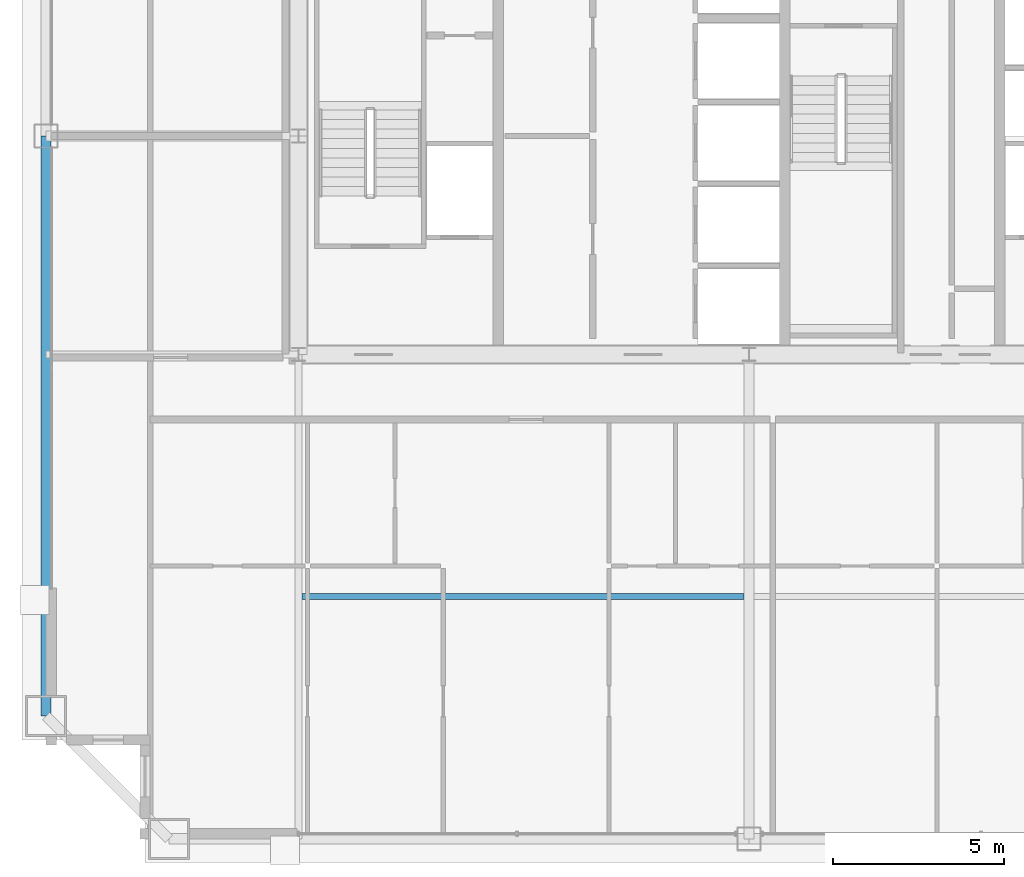
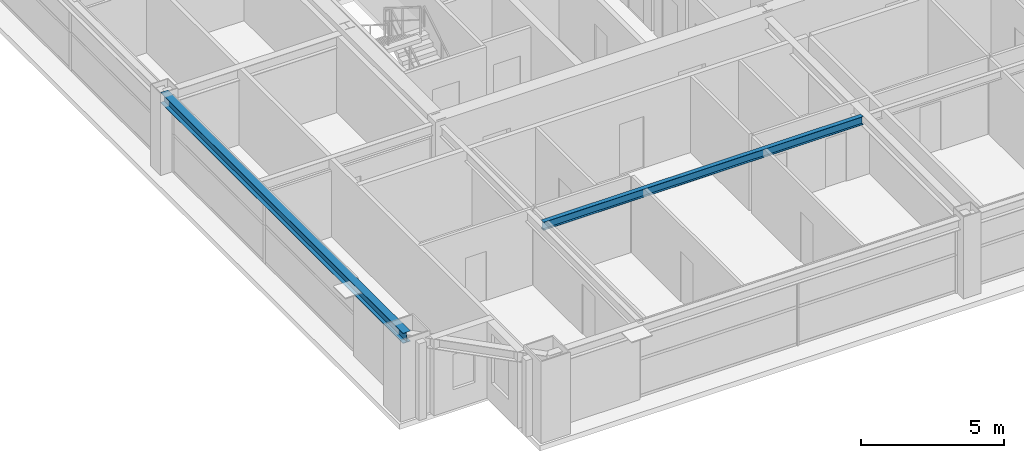
# One storey, part 6 of 36: 2 beams.
"""IFC4 building model written with IfcOpenShell, lengths in metres."""

from ifc_helpers import new_model, si_unit, direction, frame, origin, origin_2d, place, context, subcontext, project, spatial, i_section, extrude, source, transform, mapped, material, material_profile, profile_set, type_object, element, save


model = new_model("IFC4")

# Units and contexts
model_context = context("Model", 3, precision=1e-05, world=origin(), true_north=direction((0.0, 1.0)))
body_context = subcontext(model_context, "Body", "Model", "MODEL_VIEW")
ifc_project = project(units=[si_unit("LENGTHUNIT", "METRE"), si_unit("AREAUNIT", "SQUARE_METRE"), si_unit("VOLUMEUNIT", "CUBIC_METRE"), si_unit("PLANEANGLEUNIT", "RADIAN"), si_unit("MASSUNIT", "GRAM", prefix="KILO"), si_unit("THERMODYNAMICTEMPERATUREUNIT", "KELVIN"), si_unit("POWERUNIT", "WATT")], contexts=[model_context])

# Site, building, storey
site_placement = place(None, origin())
site = spatial("IfcSite", under=ifc_project, at=site_placement, CompositionType="ELEMENT")
building_placement = place(site_placement, origin())
building = spatial("IfcBuilding", under=site, at=building_placement, Name="Yuzanri Waterfront Tower", CompositionType="ELEMENT")
storey_placement = place(building_placement, frame((0.0, 0.0, 224.10009765625)))
storey = spatial("IfcBuildingStorey", under=building, at=storey_placement, Name="L59", CompositionType="ELEMENT", Elevation=224.10009765625)

# Beams
ifc_material_1 = material(Name="Steel Q355B", Category="steel")
ifc_material_profile_1 = material_profile(ifc_material_1, i_section(OverallWidth=0.300048828125, OverallDepth=0.43994140625, WebThickness=0.010986328125, FlangeThickness=0.01806640625, at=origin_2d()), Name="HM 440x300x11x18")
ifc_profile_set_1 = profile_set([ifc_material_profile_1], Name="Steel Q355B")
beam_type_1 = type_object("IfcBeamType", Name="Perimeter Spandrel Q355B HM 440x300", PredefinedType="SPANDREL", material=ifc_profile_set_1)
shared_shape_1 = source(origin(), body_context, "Body", "SweptSolid", [
    extrude(i_section(OverallWidth=0.300048828125, OverallDepth=0.43994140625, WebThickness=0.010986328125, FlangeThickness=0.01806640625, at=origin_2d()), origin(), (0.0, 0.0, 1.0), 17.0),
])
beam_1_placement = place(storey_placement, frame((16.39990234375, 25.800048828125, 3.059814453125), z_axis=(0.0, -1.0, 0.0), x_axis=(1.0, 0.0, 0.0)))
element("IfcBeam", 1, at=beam_1_placement, inside=storey, type_object=beam_type_1, Name="L59 Perimeter Spandrel W2-W1", PredefinedType="SPANDREL", context=body_context, shape_type="MappedRepresentation", body=[
    mapped(shared_shape_1, transform((0.0, 0.0, 0.0), scale=1.0)),
])
ifc_material_2 = material(Name="Steel Q355B", Category="steel")
ifc_material_profile_2 = material_profile(ifc_material_2, i_section(OverallWidth=0.175048828125, OverallDepth=0.35009765625, WebThickness=0.007080078125, FlangeThickness=0.010986328125, at=origin_2d()), Name="HN 350x175x7x11")
ifc_profile_set_2 = profile_set([ifc_material_profile_2], Name="Steel Q355B")
beam_type_2 = type_object("IfcBeamType", Name="Floor Joist Q355B HN 350x175", PredefinedType="JOIST", material=ifc_profile_set_2)
shared_shape_2 = source(origin(), body_context, "Body", "SweptSolid", [
    extrude(i_section(OverallWidth=0.175048828125, OverallDepth=0.35009765625, WebThickness=0.007080078125, FlangeThickness=0.010986328125, at=origin_2d()), origin(), (0.0, 0.0, 1.0), 12.9501953125),
])
beam_2_placement = place(storey_placement, frame((23.89990234375, 12.300048828125, 3.10498046875), z_axis=(1.0, 0.0, 0.0), x_axis=(0.0, 1.0, 0.0)))
element("IfcBeam", 2, at=beam_2_placement, inside=storey, type_object=beam_type_2, Name="L59 South Bay Joist W", PredefinedType="JOIST", context=body_context, shape_type="MappedRepresentation", body=[
    mapped(shared_shape_2, transform((0.0, 0.0, 0.0), scale=1.0)),
])

save(model, "model.ifc")
